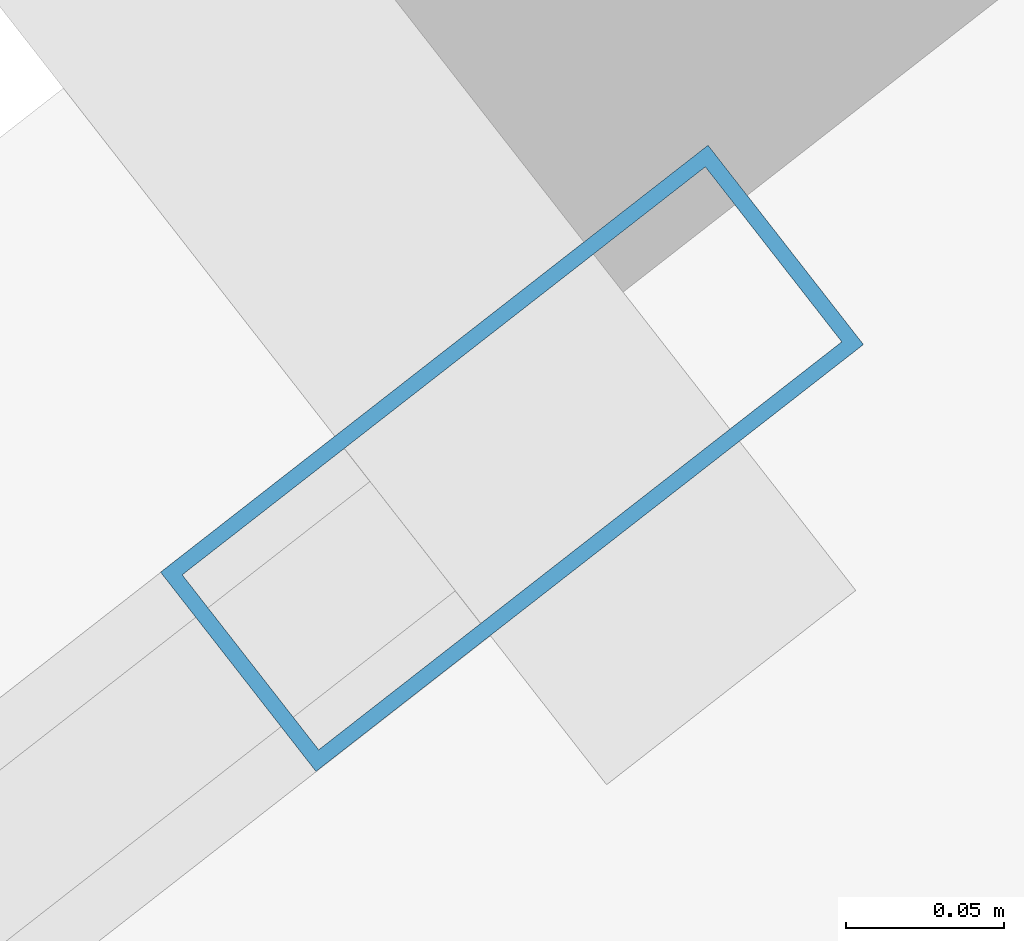
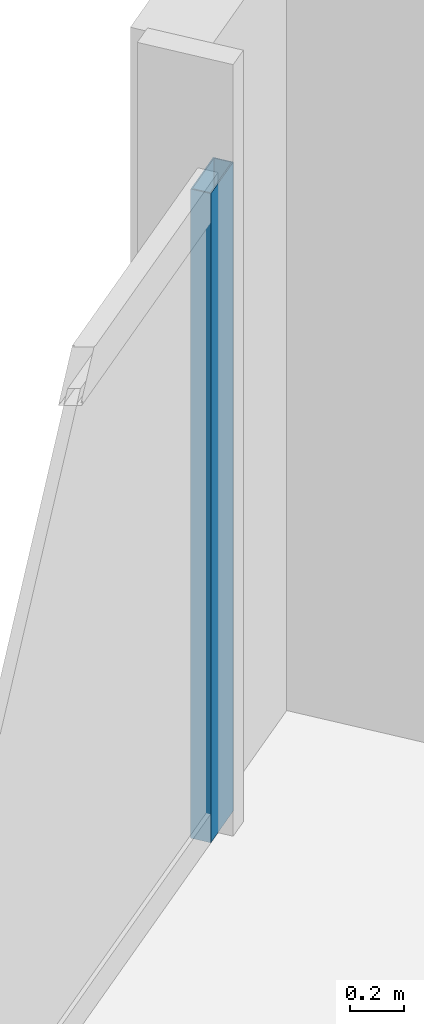
# One storey, part 22 of 32: 1 member, 1 element without a shape of its own.
"""IFC4 building model written with IfcOpenShell, lengths in metres."""

from ifc_helpers import new_model, si_unit, direction, frame, origin, origin_2d, place, context, subcontext, project, spatial, hollow_rectangle, extrude, material, material_profile, profile_set, type_object, element, aggregate, save


model = new_model("IFC4")

# Units and contexts
model_context = context("Model", 3, precision=1e-05, world=origin(), true_north=direction((0.0, 1.0)))
body_context = subcontext(model_context, "Body", "Model", "MODEL_VIEW")
ifc_project = project(units=[si_unit("LENGTHUNIT", "METRE"), si_unit("AREAUNIT", "SQUARE_METRE"), si_unit("VOLUMEUNIT", "CUBIC_METRE"), si_unit("PLANEANGLEUNIT", "RADIAN"), si_unit("MASSUNIT", "GRAM", prefix="KILO")], contexts=[model_context])

# Site, building, storey
site_placement = place(None, origin())
site = spatial("IfcSite", under=ifc_project, at=site_placement, CompositionType="ELEMENT")
building_placement = place(site_placement, origin())
building = spatial("IfcBuilding", under=site, at=building_placement, Name="Haldenkirk Collegiate Tower", CompositionType="ELEMENT")
storey_placement = place(building_placement, frame((0.0, 0.0, 155.699951171875)))
storey = spatial("IfcBuildingStorey", under=building, at=storey_placement, Name="L38", CompositionType="ELEMENT", Elevation=155.699951171875)

# Curtain wall, member
ifc_material = material(Name="Anodised architectural bronze aluminium", Category="aluminium")
curtain_wall_type = type_object("IfcCurtainWallType", Name="CW-SYS1-CONVEX-LOW", PredefinedType="USERDEFINED", material=ifc_material)
curtain_wall_placement = place(storey_placement, origin())
curtain_wall = element("IfcCurtainWall", 1, at=curtain_wall_placement, inside=storey, type_object=curtain_wall_type, Name="L38 Lower tower convex bronze-framed unitised curtain wall", ObjectType="UNITISED CURTAIN WALL", PredefinedType="USERDEFINED")
ifc_material_profile = material_profile(ifc_material, hollow_rectangle(XDim=0.080078125, YDim=0.219970703125, WallThickness=0.0048828125, at=origin_2d()), Name="CW-MUL-1A")
ifc_profile_set = profile_set([ifc_material_profile], Name="Anodised architectural bronze aluminium")
member_type = type_object("IfcMemberType", Name="CW-MUL-1A", PredefinedType="MULLION", material=ifc_profile_set)
member_placement = place(storey_placement, frame((37.4501953125, 57.0849609375, 0.0), z_axis=(0.0, 0.0, 1.0), x_axis=(-0.614973604921, 0.788547693707, 0.0)))
member = element("IfcMember", 2, at=member_placement, type_object=member_type, Name="CW-1A mullion 5", PredefinedType="MULLION", context=body_context, shape_type="SweptSolid", body=[
    extrude(hollow_rectangle(XDim=0.080078125, YDim=0.219970703125, WallThickness=0.0048828125, at=origin_2d()), origin(), (0.0, 0.0, 1.0), 2.9111328125),
])
aggregate(curtain_wall, [member])

save(model, "model.ifc")
